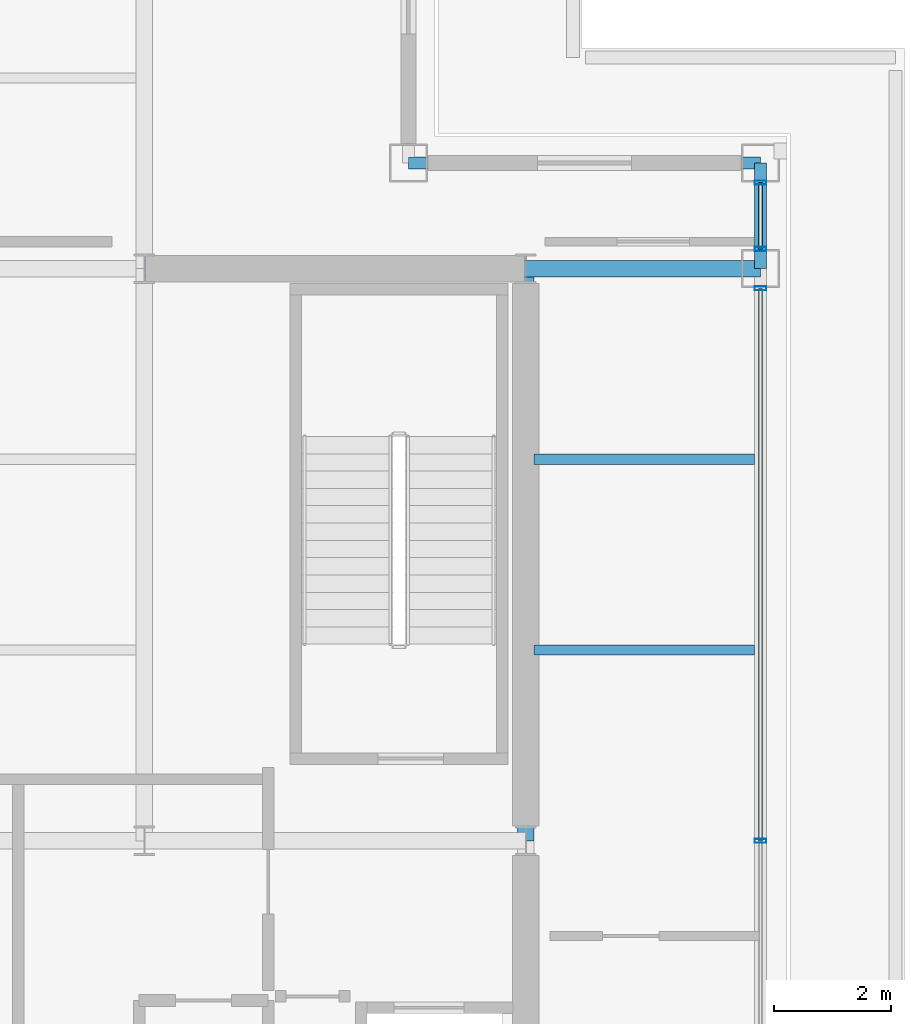
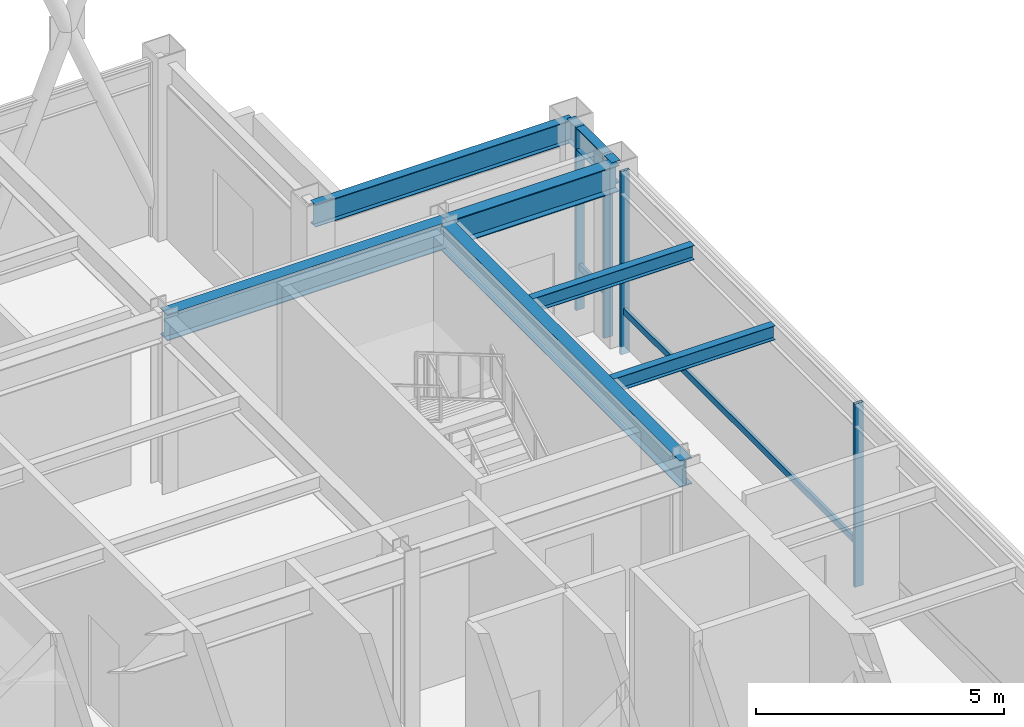
# One storey, part 10 of 19: 7 beams, 6 members, 2 elements without a shape of their own.
"""IFC4 building model written with IfcOpenShell, lengths in metres."""

from ifc_helpers import new_model, si_unit, direction, frame, origin, origin_2d, place, context, subcontext, project, spatial, hollow_rectangle, i_section, extrude, material, layer, layer_set, material_profile, profile_set, type_object, element, aggregate, save


model = new_model("IFC4")

# Units and contexts
model_context = context("Model", 3, precision=1e-05, world=origin(), true_north=direction((0.0, 1.0)))
body_context = subcontext(model_context, "Body", "Model", "MODEL_VIEW")
ifc_project = project(units=[si_unit("LENGTHUNIT", "METRE"), si_unit("AREAUNIT", "SQUARE_METRE"), si_unit("VOLUMEUNIT", "CUBIC_METRE"), si_unit("PLANEANGLEUNIT", "RADIAN"), si_unit("MASSUNIT", "GRAM", prefix="KILO")], contexts=[model_context])

# Site, building, storey
site_placement = place(None, origin())
site = spatial("IfcSite", under=ifc_project, at=site_placement, CompositionType="ELEMENT")
building_placement = place(site_placement, origin())
building = spatial("IfcBuilding", under=site, at=building_placement, Name="Brelmoor Portico Tower", CompositionType="ELEMENT")
storey_placement = place(building_placement, frame((0.0, 0.0, 213.89990234375)))
storey = spatial("IfcBuildingStorey", under=building, at=storey_placement, Name="L56", CompositionType="ELEMENT", Elevation=213.89990234375)

# Beams
ifc_material_1 = material(Name="Steel Q355B", Category="steel")
ifc_material_profile_1 = material_profile(ifc_material_1, i_section(OverallWidth=0.175048828125, OverallDepth=0.35009765625, WebThickness=0.007080078125, FlangeThickness=0.010986328125, at=origin_2d()), Name="HN 350x175x7x11")
ifc_profile_set_1 = profile_set([ifc_material_profile_1], Name="Steel Q355B")
beam_type_1 = type_object("IfcBeamType", Name="BM-JS-350", PredefinedType="JOIST", material=ifc_profile_set_1)
for number, where, z_axis, x_axis, name in (
    (1, (14.68994140625, 3.25, 4.125), (1.0, 0.0, 0.0), (0.0, 1.0, 0.0), "L56 Secondary Wing Joist JS-E13"),
    (2, (14.68994140625, 6.5, 4.125), (1.0, 0.0, 0.0), (0.0, 1.0, 0.0), "L56 Secondary Wing Joist JS-E14"),
):
    element("IfcBeam", number, at=place(storey_placement, frame(where, z_axis=z_axis, x_axis=x_axis)), inside=storey, type_object=beam_type_1, Name=name, PredefinedType="JOIST", context=body_context, shape_type="SweptSolid", body=[
        extrude(i_section(OverallWidth=0.175048828125, OverallDepth=0.35009765625, WebThickness=0.007080078125, FlangeThickness=0.010986328125, at=origin_2d()), origin(), (0.0, 0.0, 1.0), 3.760009765625),
    ])
ifc_material_profile_2 = material_profile(ifc_material_1, i_section(OverallWidth=0.280029296875, OverallDepth=0.64990234375, WebThickness=0.012939453125, FlangeThickness=0.02197265625, at=origin_2d()), Name="HN 650x280x13x22")
ifc_profile_set_2 = profile_set([ifc_material_profile_2], Name="Steel Q355B")
beam_type_2 = type_object("IfcBeamType", Name="BM-PG-650", PredefinedType="BEAM", material=ifc_profile_set_2)
beam_1_placement = place(storey_placement, frame((14.550048828125, 0.0, 3.97509765625), z_axis=(0.0, 1.0, 0.0), x_axis=(-1.0, 0.0, 0.0)))
element("IfcBeam", 3, at=beam_1_placement, inside=storey, type_object=beam_type_2, Name="L56 Primary Floor Girder PG-10", PredefinedType="BEAM", context=body_context, shape_type="SweptSolid", body=[
    extrude(i_section(OverallWidth=0.280029296875, OverallDepth=0.64990234375, WebThickness=0.012939453125, FlangeThickness=0.02197265625, at=origin_2d()), origin(), (0.0, 0.0, 1.0), 9.75),
])
beam_2_placement = place(storey_placement, frame((8.050048828125, 9.75, 3.97509765625), z_axis=(1.0, 0.0, 0.0), x_axis=(0.0, 1.0, 0.0)))
element("IfcBeam", 4, at=beam_2_placement, inside=storey, type_object=beam_type_2, Name="L56 Primary Floor Girder PG-22", PredefinedType="BEAM", context=body_context, shape_type="SweptSolid", body=[
    extrude(i_section(OverallWidth=0.280029296875, OverallDepth=0.64990234375, WebThickness=0.012939453125, FlangeThickness=0.02197265625, at=origin_2d()), origin(), (0.0, 0.0, 1.0), 6.5),
])
beam_3_placement = place(storey_placement, frame((14.550048828125, 9.75, 3.97509765625), z_axis=(1.0, 0.0, 0.0), x_axis=(0.0, 1.0, 0.0)))
element("IfcBeam", 5, at=beam_3_placement, inside=storey, type_object=beam_type_2, Name="L56 Primary Floor Girder PG-23", PredefinedType="BEAM", context=body_context, shape_type="SweptSolid", body=[
    extrude(i_section(OverallWidth=0.280029296875, OverallDepth=0.64990234375, WebThickness=0.012939453125, FlangeThickness=0.02197265625, at=origin_2d()), origin(), (0.0, 0.0, 1.0), 4.0),
])
ifc_material_profile_3 = material_profile(ifc_material_1, i_section(OverallWidth=0.199951171875, OverallDepth=0.550048828125, WebThickness=0.010009765625, FlangeThickness=0.01611328125, at=origin_2d()), Name="HN 550x200x10x16")
ifc_profile_set_3 = profile_set([ifc_material_profile_3], Name="Steel Q355B")
beam_type_3 = type_object("IfcBeamType", Name="BM-SP-550", PredefinedType="SPANDREL", material=ifc_profile_set_3)
beam_4_placement = place(storey_placement, frame((12.550048828125, 11.550048828125, 4.025146484375), z_axis=(1.0, 0.0, 0.0), x_axis=(0.0, 1.0, 0.0)))
element("IfcBeam", 6, at=beam_4_placement, inside=storey, type_object=beam_type_3, Name="L56 Perimeter Spandrel Beam SP-07", PredefinedType="SPANDREL", context=body_context, shape_type="SweptSolid", body=[
    extrude(i_section(OverallWidth=0.199951171875, OverallDepth=0.550048828125, WebThickness=0.010009765625, FlangeThickness=0.01611328125, at=origin_2d()), origin(), (0.0, 0.0, 1.0), 6.0),
])
beam_5_placement = place(storey_placement, frame((18.550048828125, 9.75, 4.025146484375), z_axis=(0.0, 1.0, 0.0), x_axis=(-1.0, 0.0, 0.0)))
element("IfcBeam", 7, at=beam_5_placement, inside=storey, type_object=beam_type_3, Name="L56 Perimeter Spandrel Beam SP-20", PredefinedType="SPANDREL", context=body_context, shape_type="SweptSolid", body=[
    extrude(i_section(OverallWidth=0.199951171875, OverallDepth=0.550048828125, WebThickness=0.010009765625, FlangeThickness=0.01611328125, at=origin_2d()), origin(), (0.0, 0.0, 1.0), 1.800048828125),
])

# Curtain wall, members
ifc_material_2 = material(Name="Anodised Aluminium Alloy 6063-T6", Category="aluminium")
ifc_layer = layer(ifc_material_2, 0.179931640625)
ifc_layer_set = layer_set([ifc_layer], Name="Anodised Aluminium Alloy 6063-T6")
curtain_wall_type = type_object("IfcCurtainWallType", Name="CW-SKYLOBBY", PredefinedType="NOTDEFINED", material=ifc_layer_set)
curtain_wall_1_placement = place(storey_placement, origin())
curtain_wall_1 = element("IfcCurtainWall", 8, at=curtain_wall_1_placement, inside=storey, type_object=curtain_wall_type, Name="L56 Curtain Wall CW-L56-04-2", PredefinedType="NOTDEFINED")
ifc_material_profile_4 = material_profile(ifc_material_2, hollow_rectangle(XDim=0.070068359375, YDim=0.199951171875, WallThickness=0.00439453125, at=origin_2d()), Name="ALU MULLION 70x200")
ifc_profile_set_4 = profile_set([ifc_material_profile_4], Name="Anodised Aluminium Alloy 6063-T6")
member_type_1 = type_object("IfcMemberType", Name="MB-CW-MULL-200", PredefinedType="MULLION", material=ifc_profile_set_4)
member_1_placement = place(storey_placement, frame((18.550048828125, 0.0, -0.199951171875), z_axis=(0.0, 0.0, 1.0), x_axis=(0.0, 1.0, 0.0)))
member_1 = element("IfcMember", 9, at=member_1_placement, type_object=member_type_1, Name="CW-L56-04-2 Mullion 01", PredefinedType="MULLION", context=body_context, shape_type="SweptSolid", body=[
    extrude(hollow_rectangle(XDim=0.070068359375, YDim=0.199951171875, WallThickness=0.00439453125, at=origin_2d()), origin(), (0.0, 0.0, 1.0), 4.5),
])
member_2_placement = place(storey_placement, frame((18.550048828125, 9.4150390625, -0.199951171875), z_axis=(0.0, 0.0, 1.0), x_axis=(0.0, 1.0, 0.0)))
member_2 = element("IfcMember", 10, at=member_2_placement, type_object=member_type_1, Name="CW-L56-04-2 Mullion 02", PredefinedType="MULLION", context=body_context, shape_type="SweptSolid", body=[
    extrude(hollow_rectangle(XDim=0.070068359375, YDim=0.199951171875, WallThickness=0.00439453125, at=origin_2d()), origin(), (0.0, 0.0, 1.0), 4.5),
])

curtain_wall_2_placement = place(storey_placement, origin())
curtain_wall_2 = element("IfcCurtainWall", 11, at=curtain_wall_2_placement, inside=storey, type_object=curtain_wall_type, Name="L56 Curtain Wall CW-L56-04-3", PredefinedType="NOTDEFINED")
member_3_placement = place(storey_placement, frame((18.550048828125, 10.0849609375, -0.199951171875), z_axis=(0.0, 0.0, 1.0), x_axis=(0.0, 1.0, 0.0)))
member_3 = element("IfcMember", 12, at=member_3_placement, type_object=member_type_1, Name="CW-L56-04-3 Mullion 00", PredefinedType="MULLION", context=body_context, shape_type="SweptSolid", body=[
    extrude(hollow_rectangle(XDim=0.070068359375, YDim=0.199951171875, WallThickness=0.00439453125, at=origin_2d()), origin(), (0.0, 0.0, 1.0), 4.5),
])
member_4_placement = place(storey_placement, frame((18.550048828125, 11.215087890625, -0.199951171875), z_axis=(0.0, 0.0, 1.0), x_axis=(0.0, 1.0, 0.0)))
member_4 = element("IfcMember", 13, at=member_4_placement, type_object=member_type_1, Name="CW-L56-04-3 Mullion 01", PredefinedType="MULLION", context=body_context, shape_type="SweptSolid", body=[
    extrude(hollow_rectangle(XDim=0.070068359375, YDim=0.199951171875, WallThickness=0.00439453125, at=origin_2d()), origin(), (0.0, 0.0, 1.0), 4.5),
])

# Member
ifc_material_profile_5 = material_profile(ifc_material_2, hollow_rectangle(XDim=0.070068359375, YDim=0.159912109375, WallThickness=0.00390625, at=origin_2d()), Name="ALU TRANSOM 70x160")
ifc_profile_set_5 = profile_set([ifc_material_profile_5], Name="Anodised Aluminium Alloy 6063-T6")
member_type_2 = type_object("IfcMemberType", Name="MB-CW-TRAN-160", PredefinedType="USERDEFINED", material=ifc_profile_set_5)
member_5_placement = place(storey_placement, frame((18.550048828125, 0.0, 0.85009765625), z_axis=(0.0, 1.0, 0.0), x_axis=(-1.0, 0.0, 0.0)))
member_5 = element("IfcMember", 14, at=member_5_placement, type_object=member_type_2, Name="CW-L56-04-2 Transom 1-01", ObjectType="TRANSOM", PredefinedType="USERDEFINED", context=body_context, shape_type="SweptSolid", body=[
    extrude(hollow_rectangle(XDim=0.070068359375, YDim=0.159912109375, WallThickness=0.00390625, at=origin_2d()), origin(), (0.0, 0.0, 1.0), 9.4150390625),
])

aggregate(curtain_wall_1, [member_1, member_2, member_5])

member_6_placement = place(storey_placement, frame((18.550048828125, 10.0849609375, 0.85009765625), z_axis=(0.0, 1.0, 0.0), x_axis=(-1.0, 0.0, 0.0)))
member_6 = element("IfcMember", 15, at=member_6_placement, type_object=member_type_2, Name="CW-L56-04-3 Transom 1-00", ObjectType="TRANSOM", PredefinedType="USERDEFINED", context=body_context, shape_type="SweptSolid", body=[
    extrude(hollow_rectangle(XDim=0.070068359375, YDim=0.159912109375, WallThickness=0.00390625, at=origin_2d()), origin(), (0.0, 0.0, 1.0), 1.130126953125),
])

aggregate(curtain_wall_2, [member_3, member_4, member_6])

save(model, "model.ifc")
